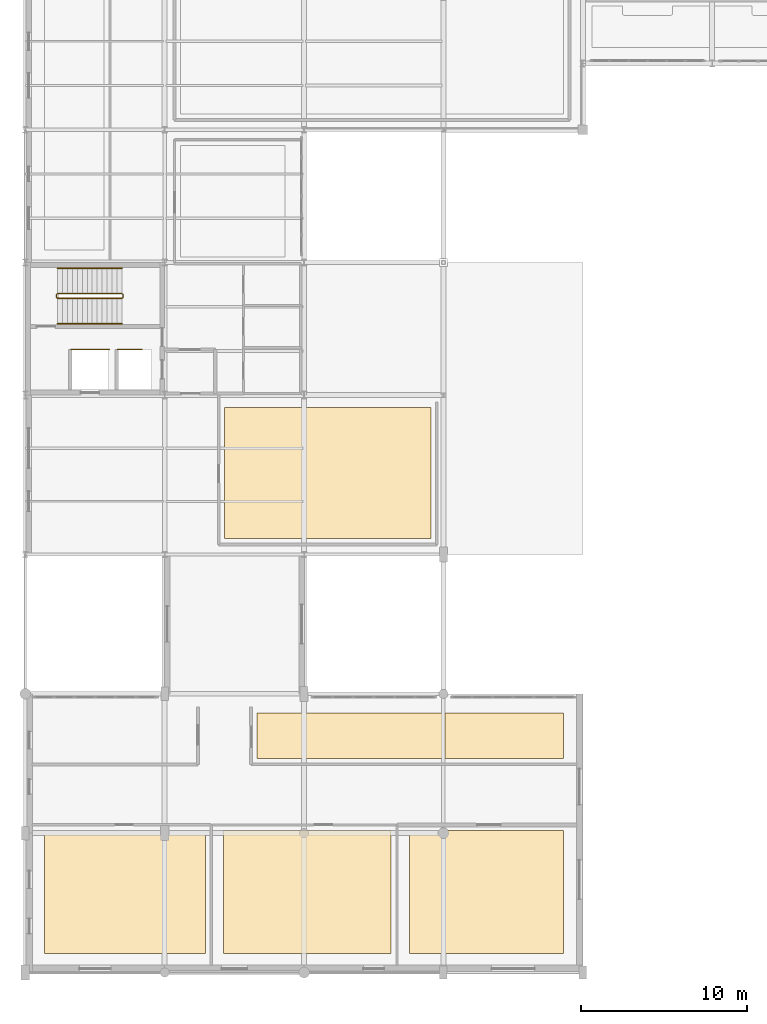
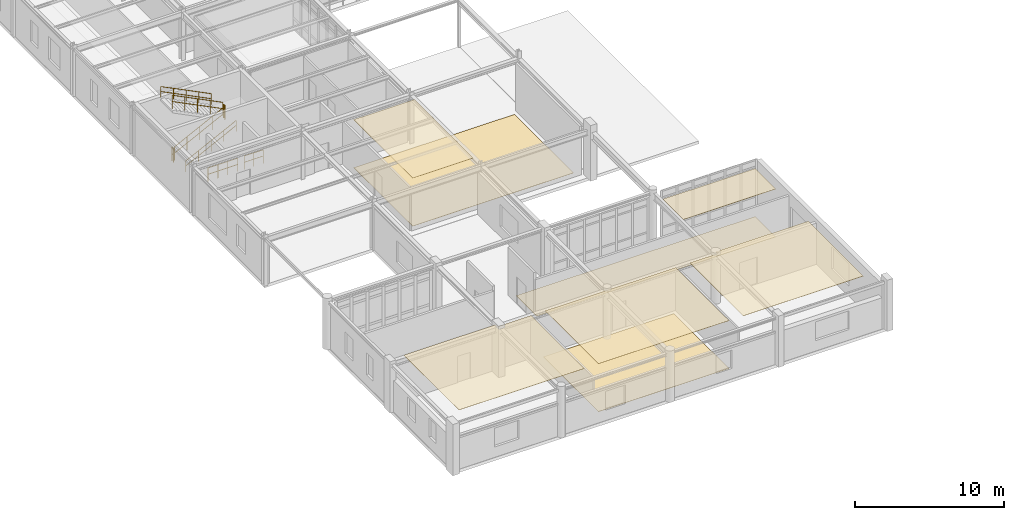
# One storey, part 81 of 90: 8 coverings, 8 railings.
"""IFC4 building model written with IfcOpenShell, lengths in metres."""

from ifc_helpers import new_model, si_unit, derived_unit, direction, frame, origin, origin_2d, place, context, subcontext, project, spatial, polyline, circle, outline, extrude, material, layer, layer_set, type_object, element, save


model = new_model("IFC4")

# Units and contexts
model_context = context("Model", 3, precision=1e-05, world=origin(), true_north=direction((0.0, 1.0)))
body_context = subcontext(model_context, "Body", "Model", "MODEL_VIEW")
ifc_project = project(units=[si_unit("LENGTHUNIT", "METRE"), si_unit("AREAUNIT", "SQUARE_METRE"), si_unit("VOLUMEUNIT", "CUBIC_METRE"), si_unit("PLANEANGLEUNIT", "RADIAN"), si_unit("MASSUNIT", "GRAM", prefix="KILO"), derived_unit("THERMALTRANSMITTANCEUNIT", [(si_unit("POWERUNIT", "WATT"), 1), (si_unit("AREAUNIT", "SQUARE_METRE"), -1), (si_unit("THERMODYNAMICTEMPERATUREUNIT", "KELVIN"), -1)])], contexts=[model_context])

# Site, building, storey
site_placement = place(None, origin())
site = spatial("IfcSite", under=ifc_project, at=site_placement, CompositionType="ELEMENT")
building_placement = place(site_placement, origin())
building = spatial("IfcBuilding", under=site, at=building_placement, Name="Yasenodar Specialist Clinic", CompositionType="ELEMENT")
storey_placement = place(building_placement, frame((0.0, 0.0, 9.0)))
storey = spatial("IfcBuildingStorey", under=building, at=storey_placement, Name="L02", CompositionType="ELEMENT", Elevation=9.0)

# Coverings
ifc_material_1 = material(Name="Hygienic Acoustic Mineral-Fibre Ceiling")
ifc_layer_1 = layer(ifc_material_1, 0.02490234375)
ifc_layer_set_1 = layer_set([ifc_layer_1], Name="Hygienic Acoustic Mineral-Fibre Ceiling")
covering_type_1 = type_object("IfcCoveringType", Name="COV-CEIL-AC", PredefinedType="CEILING", material=ifc_layer_set_1)
covering_1_placement = place(storey_placement, frame((0.0, 0.0, 3.9150390625)))
element("IfcCovering", 1, at=covering_1_placement, inside=storey, type_object=covering_type_1, Name="L02 DEXA Bone Densitometry Suite Acoustic Ceiling", PredefinedType="CEILING", context=body_context, shape_type="SweptSolid", body=[
    extrude(outline(polyline([(10.85009765625, 1.14990234375), (1.14990234375, 1.14990234375), (1.14990234375, 8.550048828125), (8.300048828125, 8.550048828125), (8.300048828125, 8.39990234375), (8.300048828125, 8.389892578125), (8.302001953125, 8.3798828125), (8.303955078125, 8.37109375), (8.30810546875, 8.362060546875), (8.31201171875, 8.35302734375), (8.31689453125, 8.343994140625), (8.322998046875, 8.3369140625), (8.3291015625, 8.3291015625), (8.3369140625, 8.322998046875), (8.343994140625, 8.31689453125), (8.35302734375, 8.31201171875), (8.362060546875, 8.30810546875), (8.37109375, 8.303955078125), (8.3798828125, 8.302001953125), (8.389892578125, 8.300048828125), (8.39990234375, 8.300048828125), (10.85009765625, 8.300048828125), (10.85009765625, 1.14990234375)])), origin(), (0.0, 0.0, 1.0), 0.02490234375),
])
covering_2_placement = place(storey_placement, frame((0.0, 0.0, 3.9150390625)))
element("IfcCovering", 2, at=covering_2_placement, inside=storey, type_object=covering_type_1, Name="L02 Nuclear Diagnostic Uptake Suite Acoustic Ceiling", PredefinedType="CEILING", context=body_context, shape_type="SweptSolid", body=[
    extrude(outline(polyline([(22.050048828125, 1.14990234375), (11.949951171875, 1.14990234375), (11.949951171875, 8.300048828125), (22.050048828125, 8.300048828125), (22.050048828125, 1.14990234375)])), origin(), (0.0, 0.0, 1.0), 0.02490234375),
])
covering_3_placement = place(storey_placement, frame((0.0, 0.0, 3.9150390625)))
element("IfcCovering", 3, at=covering_3_placement, inside=storey, type_object=covering_type_1, Name="L02 Gamma Camera Imaging Room Acoustic Ceiling", PredefinedType="CEILING", context=body_context, shape_type="SweptSolid", body=[
    extrude(outline(polyline([(32.449951171875, 1.14990234375), (23.14990234375, 1.14990234375), (23.14990234375, 8.300048828125), (25.199951171875, 8.300048828125), (25.2099609375, 8.300048828125), (25.219970703125, 8.302001953125), (25.22900390625, 8.303955078125), (25.238037109375, 8.30810546875), (25.2470703125, 8.31201171875), (25.256103515625, 8.31689453125), (25.262939453125, 8.322998046875), (25.27099609375, 8.3291015625), (25.277099609375, 8.3369140625), (25.282958984375, 8.343994140625), (25.2880859375, 8.35302734375), (25.2919921875, 8.362060546875), (25.2958984375, 8.37109375), (25.298095703125, 8.3798828125), (25.300048828125, 8.389892578125), (25.300048828125, 8.39990234375), (25.300048828125, 8.550048828125), (32.449951171875, 8.550048828125), (32.449951171875, 1.14990234375)])), origin(), (0.0, 0.0, 1.0), 0.02490234375),
])
covering_4_placement = place(storey_placement, frame((0.0, 0.0, 3.9150390625)))
element("IfcCovering", 4, at=covering_4_placement, inside=storey, type_object=covering_type_1, Name="L02 Cardiology Holter and ECG Diagnostic Room Acoustic Ceiling", PredefinedType="CEILING", context=body_context, shape_type="SweptSolid", body=[
    extrude(outline(polyline([(32.449951171875, 15.64990234375), (32.449951171875, 12.89990234375), (25.300048828125, 12.89990234375), (25.300048828125, 15.64990234375), (32.449951171875, 15.64990234375)])), origin(), (0.0, 0.0, 1.0), 0.02490234375),
])
covering_5_placement = place(storey_placement, frame((0.0, 0.0, 3.925048828125)))
element("IfcCovering", 5, at=covering_5_placement, inside=storey, type_object=covering_type_1, Name="L02 Audiology and ENT Clinic Acoustic Ceiling", PredefinedType="CEILING", context=body_context, shape_type="SweptSolid", body=[
    extrude(outline(polyline([(12.0, 26.14990234375), (12.0, 34.050048828125), (16.699951171875, 34.050048828125), (16.699951171875, 26.14990234375), (12.0, 26.14990234375)])), origin(), (0.0, 0.0, 1.0), 0.02490234375),
])
ifc_material_2 = material(Name="Seamless Epoxy Terrazzo Clinical Flooring")
ifc_layer_2 = layer(ifc_material_2, 0.02001953125)
ifc_layer_set_2 = layer_set([ifc_layer_2], Name="Seamless Epoxy Terrazzo Clinical Flooring")
covering_type_2 = type_object("IfcCoveringType", Name="COV-FLR-TERR", PredefinedType="FLOORING", material=ifc_layer_set_2)
covering_6_placement = place(storey_placement, origin())
element("IfcCovering", 6, at=covering_6_placement, inside=storey, type_object=covering_type_2, Name="L02 Nuclear Diagnostic Uptake Suite Terrazzo Flooring", PredefinedType="FLOORING", context=body_context, shape_type="SweptSolid", body=[
    extrude(outline(polyline([(22.050048828125, 1.14990234375), (11.949951171875, 1.14990234375), (11.949951171875, 8.550048828125), (22.050048828125, 8.550048828125), (22.050048828125, 1.14990234375)])), origin(), (0.0, 0.0, 1.0), 0.02001953125),
])
covering_7_placement = place(storey_placement, origin())
element("IfcCovering", 7, at=covering_7_placement, inside=storey, type_object=covering_type_2, Name="L02 Cardiology Holter and ECG Diagnostic Room Terrazzo Flooring", PredefinedType="FLOORING", context=body_context, shape_type="SweptSolid", body=[
    extrude(outline(polyline([(32.449951171875, 15.64990234375), (32.449951171875, 12.89990234375), (13.949951171875, 12.89990234375), (13.949951171875, 15.64990234375), (32.449951171875, 15.64990234375)])), origin(), (0.0, 0.0, 1.0), 0.02001953125),
])
covering_8_placement = place(storey_placement, origin())
element("IfcCovering", 8, at=covering_8_placement, inside=storey, type_object=covering_type_2, Name="L02 Audiology and ENT Clinic Terrazzo Flooring", PredefinedType="FLOORING", context=body_context, shape_type="SweptSolid", body=[
    extrude(outline(polyline([(24.449951171875, 26.14990234375), (12.0, 26.14990234375), (12.0, 34.050048828125), (24.449951171875, 34.050048828125), (24.449951171875, 26.14990234375)])), origin(), (0.0, 0.0, 1.0), 0.02001953125),
])

# Railings
ifc_material_3 = material(Name="Steel S355 Painted Guardrail", Category="steel")
railing_type_1 = type_object("IfcRailingType", Name="RL-GRD-1120", PredefinedType="GUARDRAIL", material=ifc_material_3)
railing_1_placement = place(storey_placement, frame((2.75, 37.56005859375, 0.0)))
element("IfcRailing", 9, at=railing_1_placement, inside=storey, type_object=railing_type_1, Name="L02 Core C1 Lift LF-05 Shaft Guardrail", PredefinedType="GUARDRAIL", context=body_context, shape_type="SweptSolid", body=[
    extrude(circle(Radius=0.02392578125, at=origin_2d()), frame((0.0, 0.0, 1.09619140625), z_axis=(1.0, 0.0, 0.0), x_axis=(0.0, 1.0, 0.0)), (0.0, 0.0, 1.0), 2.300048828125),
    extrude(circle(Radius=0.02392578125, at=origin_2d()), frame((0.0, 0.0, 0.58251953125), z_axis=(1.0, 0.0, 0.0), x_axis=(0.0, 1.0, 0.0)), (0.0, 0.0, 1.0), 2.300048828125),
    extrude(circle(Radius=0.02099609375, at=origin_2d()), origin(), (0.0, 0.0, 1.0), 1.072021484375),
    extrude(circle(Radius=0.02099609375, at=origin_2d()), frame((0.7666015625, 0.0, 0.0)), (0.0, 0.0, 1.0), 1.072021484375),
    extrude(circle(Radius=0.02099609375, at=origin_2d()), frame((1.533447265625, 0.0, 0.0)), (0.0, 0.0, 1.0), 1.072021484375),
    extrude(circle(Radius=0.02099609375, at=origin_2d()), frame((2.300048828125, 0.0, 0.0)), (0.0, 0.0, 1.0), 1.072021484375),
])
railing_2_placement = place(storey_placement, frame((5.550048828125, 37.56005859375, 0.0)))
element("IfcRailing", 10, at=railing_2_placement, inside=storey, type_object=railing_type_1, Name="L02 Core C1 Lift LF-01 Shaft Guardrail", PredefinedType="GUARDRAIL", context=body_context, shape_type="SweptSolid", body=[
    extrude(circle(Radius=0.02392578125, at=origin_2d()), frame((0.0, 0.0, 1.09619140625), z_axis=(1.0, 0.0, 0.0), x_axis=(0.0, 1.0, 0.0)), (0.0, 0.0, 1.0), 1.4599609375),
    extrude(circle(Radius=0.02392578125, at=origin_2d()), frame((0.0, 0.0, 0.58251953125), z_axis=(1.0, 0.0, 0.0), x_axis=(0.0, 1.0, 0.0)), (0.0, 0.0, 1.0), 1.4599609375),
    extrude(circle(Radius=0.02099609375, at=origin_2d()), origin(), (0.0, 0.0, 1.0), 1.072021484375),
    extrude(circle(Radius=0.02099609375, at=origin_2d()), frame((0.72998046875, 0.0, 0.0)), (0.0, 0.0, 1.0), 1.072021484375),
    extrude(circle(Radius=0.02099609375, at=origin_2d()), frame((1.4599609375, 0.0, 0.0)), (0.0, 0.0, 1.0), 1.072021484375),
])
ifc_material_4 = material(Name="Steel S355 Painted Stair Guardrail", Category="steel")
railing_type_2 = type_object("IfcRailingType", Name="RL-ST-GRD", PredefinedType="GUARDRAIL", material=ifc_material_4)
railing_3_placement = place(storey_placement, frame((1.929931640625, 40.639892578125, 0.14990234375)))
element("IfcRailing", 11, at=railing_3_placement, inside=storey, type_object=railing_type_2, Name="L02 ST-01 stair guard 1", PredefinedType="GUARDRAIL", context=body_context, shape_type="SweptSolid", body=[
    extrude(circle(Radius=0.02392578125, at=origin_2d()), frame((0.0, 0.0, 1.09619140625), z_axis=(0.894415993023, 0.0, 0.447235990752), x_axis=(0.0, 1.0, 0.0)), (0.0, 0.0, 1.0), 4.360595703125),
    extrude(circle(Radius=0.02392578125, at=origin_2d()), frame((0.0, 0.0, 0.58251953125), z_axis=(0.894415993023, 0.0, 0.447235990752), x_axis=(0.0, 1.0, 0.0)), (0.0, 0.0, 1.0), 4.360595703125),
    extrude(circle(Radius=0.02099609375, at=origin_2d()), origin(), (0.0, 0.0, 1.0), 1.072021484375),
    extrude(circle(Radius=0.02099609375, at=origin_2d()), frame((0.97509765625, 0.0, 0.487548828125)), (0.0, 0.0, 1.0), 1.072021484375),
    extrude(circle(Radius=0.02099609375, at=origin_2d()), frame((1.9501953125, 0.0, 0.97509765625)), (0.0, 0.0, 1.0), 1.072021484375),
    extrude(circle(Radius=0.02099609375, at=origin_2d()), frame((2.925048828125, 0.0, 1.462646484375)), (0.0, 0.0, 1.0), 1.072021484375),
    extrude(circle(Radius=0.02099609375, at=origin_2d()), frame((3.900146484375, 0.0, 1.9501953125)), (0.0, 0.0, 1.0), 1.072021484375),
])
railing_4_placement = place(storey_placement, frame((5.8798828125, 40.68994140625, 2.10009765625)))
element("IfcRailing", 12, at=railing_4_placement, inside=storey, type_object=railing_type_2, Name="L02 ST-01 stair guard 2", PredefinedType="GUARDRAIL", context=body_context, shape_type="SweptSolid", body=[
    extrude(circle(Radius=0.02392578125, at=origin_2d()), frame((0.0, 0.0, 1.09619140625), z_axis=(0.0, 1.0, 0.0), x_axis=(-1.0, 0.0, 0.0)), (0.0, 0.0, 1.0), 0.18994140625),
    extrude(circle(Radius=0.02392578125, at=origin_2d()), frame((0.0, 0.0, 0.58251953125), z_axis=(0.0, 1.0, 0.0), x_axis=(-1.0, 0.0, 0.0)), (0.0, 0.0, 1.0), 0.18994140625),
    extrude(circle(Radius=0.02099609375, at=origin_2d()), origin(), (0.0, 0.0, 1.0), 1.072021484375),
    extrude(circle(Radius=0.02099609375, at=origin_2d()), frame((0.0, 0.18994140625, 0.0)), (0.0, 0.0, 1.0), 1.072021484375),
])
railing_5_placement = place(storey_placement, frame((5.830078125, 40.929931640625, 2.25)))
element("IfcRailing", 13, at=railing_5_placement, inside=storey, type_object=railing_type_2, Name="L02 ST-01 stair guard 3", PredefinedType="GUARDRAIL", context=body_context, shape_type="SweptSolid", body=[
    extrude(circle(Radius=0.02392578125, at=origin_2d()), frame((0.0, 0.0, 1.09619140625), z_axis=(-0.894438388696, 0.0, 0.447191199406), x_axis=(0.0, -1.0, 0.0)), (0.0, 0.0, 1.0), 4.3603515625),
    extrude(circle(Radius=0.02392578125, at=origin_2d()), frame((0.0, 0.0, 0.58251953125), z_axis=(-0.894438388696, 0.0, 0.447191199406), x_axis=(0.0, -1.0, 0.0)), (0.0, 0.0, 1.0), 4.3603515625),
    extrude(circle(Radius=0.02099609375, at=origin_2d()), origin(), (0.0, 0.0, 1.0), 1.072021484375),
    extrude(circle(Radius=0.02099609375, at=origin_2d()), frame((-0.97509765625, 0.0, 0.487548828125)), (0.0, 0.0, 1.0), 1.072021484375),
    extrude(circle(Radius=0.02099609375, at=origin_2d()), frame((-1.9501953125, 0.0, 0.97509765625)), (0.0, 0.0, 1.0), 1.072021484375),
    extrude(circle(Radius=0.02099609375, at=origin_2d()), frame((-2.925048828125, 0.0, 1.46240234375)), (0.0, 0.0, 1.0), 1.072021484375),
    extrude(circle(Radius=0.02099609375, at=origin_2d()), frame((-3.900146484375, 0.0, 1.949951171875)), (0.0, 0.0, 1.0), 1.072021484375),
])
railing_6_placement = place(storey_placement, frame((1.8798828125, 40.68994140625, 0.0)))
element("IfcRailing", 14, at=railing_6_placement, inside=storey, type_object=railing_type_2, Name="L02 ST-01 stair guard 4", PredefinedType="GUARDRAIL", context=body_context, shape_type="SweptSolid", body=[
    extrude(circle(Radius=0.02392578125, at=origin_2d()), frame((0.0, 0.0, 1.09619140625), z_axis=(0.0, 1.0, 0.0), x_axis=(-1.0, 0.0, 0.0)), (0.0, 0.0, 1.0), 0.18994140625),
    extrude(circle(Radius=0.02392578125, at=origin_2d()), frame((0.0, 0.0, 0.58251953125), z_axis=(0.0, 1.0, 0.0), x_axis=(-1.0, 0.0, 0.0)), (0.0, 0.0, 1.0), 0.18994140625),
    extrude(circle(Radius=0.02099609375, at=origin_2d()), origin(), (0.0, 0.0, 1.0), 1.072021484375),
    extrude(circle(Radius=0.02099609375, at=origin_2d()), frame((0.0, 0.18994140625, 0.0)), (0.0, 0.0, 1.0), 1.072021484375),
])
ifc_material_5 = material(Name="Brushed Stainless Steel Handrail", Category="steel")
railing_type_3 = type_object("IfcRailingType", Name="RL-ST-HND", PredefinedType="HANDRAIL", material=ifc_material_5)
railing_7_placement = place(storey_placement, frame((1.929931640625, 39.110107421875, 0.14990234375)))
element("IfcRailing", 15, at=railing_7_placement, inside=storey, type_object=railing_type_3, Name="L02 ST-01 stair handrail 1", PredefinedType="HANDRAIL", context=body_context, shape_type="SweptSolid", body=[
    extrude(circle(Radius=0.02392578125, at=origin_2d()), frame((0.0, 0.0, 0.8759765625), z_axis=(0.894415993023, 0.0, 0.447235990752), x_axis=(0.0, 1.0, 0.0)), (0.0, 0.0, 1.0), 4.360595703125),
    extrude(circle(Radius=0.02392578125, at=origin_2d()), frame((0.0, 0.0, 0.468017578125), z_axis=(0.894415993023, 0.0, 0.447235990752), x_axis=(0.0, 1.0, 0.0)), (0.0, 0.0, 1.0), 4.360595703125),
    extrude(circle(Radius=0.02099609375, at=origin_2d()), origin(), (0.0, 0.0, 1.0), 0.851806640625),
    extrude(circle(Radius=0.02099609375, at=origin_2d()), frame((0.97509765625, 0.0, 0.487548828125)), (0.0, 0.0, 1.0), 0.851806640625),
    extrude(circle(Radius=0.02099609375, at=origin_2d()), frame((1.9501953125, 0.0, 0.97509765625)), (0.0, 0.0, 1.0), 0.851806640625),
    extrude(circle(Radius=0.02099609375, at=origin_2d()), frame((2.925048828125, 0.0, 1.462646484375)), (0.0, 0.0, 1.0), 0.851806640625),
    extrude(circle(Radius=0.02099609375, at=origin_2d()), frame((3.900146484375, 0.0, 1.9501953125)), (0.0, 0.0, 1.0), 0.851806640625),
])
railing_8_placement = place(storey_placement, frame((5.830078125, 42.4599609375, 2.25)))
element("IfcRailing", 16, at=railing_8_placement, inside=storey, type_object=railing_type_3, Name="L02 ST-01 stair handrail 2", PredefinedType="HANDRAIL", context=body_context, shape_type="SweptSolid", body=[
    extrude(circle(Radius=0.02392578125, at=origin_2d()), frame((0.0, 0.0, 0.8759765625), z_axis=(-0.894438388696, 0.0, 0.447191199406), x_axis=(0.0, -1.0, 0.0)), (0.0, 0.0, 1.0), 4.3603515625),
    extrude(circle(Radius=0.02392578125, at=origin_2d()), frame((0.0, 0.0, 0.468017578125), z_axis=(-0.894438388696, 0.0, 0.447191199406), x_axis=(0.0, -1.0, 0.0)), (0.0, 0.0, 1.0), 4.3603515625),
    extrude(circle(Radius=0.02099609375, at=origin_2d()), origin(), (0.0, 0.0, 1.0), 0.851806640625),
    extrude(circle(Radius=0.02099609375, at=origin_2d()), frame((-0.97509765625, 0.0, 0.487548828125)), (0.0, 0.0, 1.0), 0.851806640625),
    extrude(circle(Radius=0.02099609375, at=origin_2d()), frame((-1.9501953125, 0.0, 0.97509765625)), (0.0, 0.0, 1.0), 0.851806640625),
    extrude(circle(Radius=0.02099609375, at=origin_2d()), frame((-2.925048828125, 0.0, 1.46240234375)), (0.0, 0.0, 1.0), 0.851806640625),
    extrude(circle(Radius=0.02099609375, at=origin_2d()), frame((-3.900146484375, 0.0, 1.949951171875)), (0.0, 0.0, 1.0), 0.851806640625),
])

save(model, "model.ifc")
